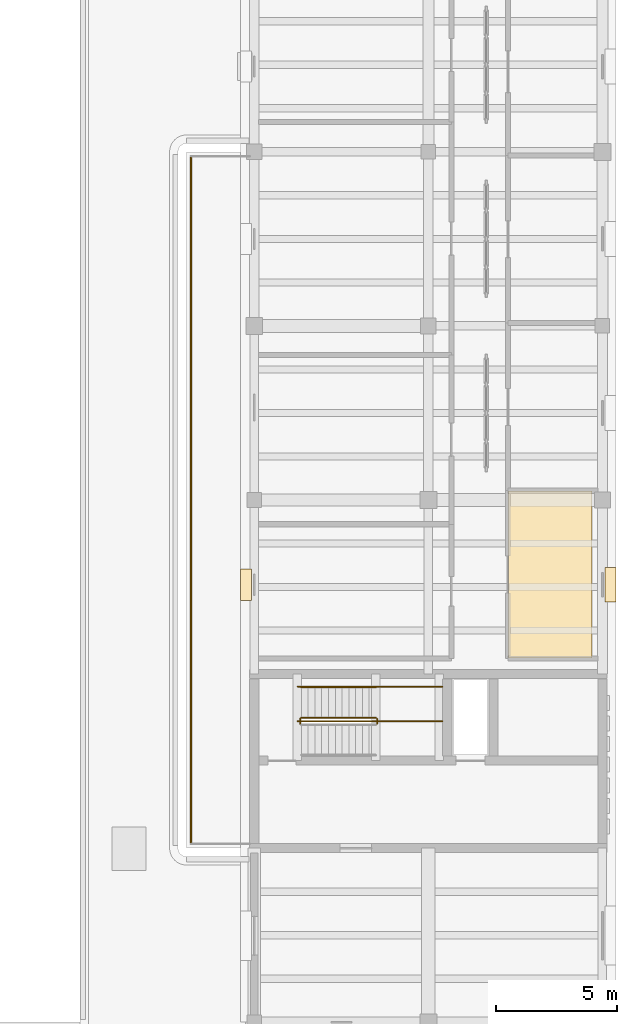
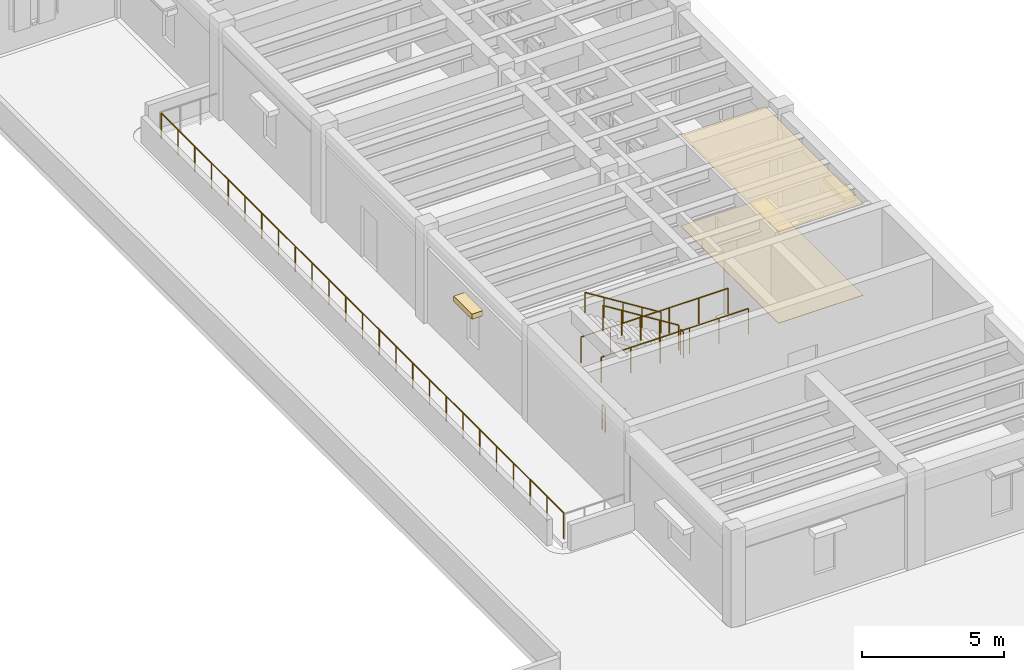
# One storey, part 39 of 40: 7 railings, 4 coverings.
"""IFC4 building model written with IfcOpenShell, lengths in metres."""

from ifc_helpers import new_model, si_unit, direction, frame, origin, origin_2d, place, context, subcontext, project, spatial, polyline, rectangle, circle, outline, extrude, material, layer, layer_set, type_object, element, save


model = new_model("IFC4")

# Units and contexts
model_context = context("Model", 3, precision=1e-05, world=origin(), true_north=direction((0.0, 1.0)))
body_context = subcontext(model_context, "Body", "Model", "MODEL_VIEW")
ifc_project = project(units=[si_unit("LENGTHUNIT", "METRE"), si_unit("AREAUNIT", "SQUARE_METRE"), si_unit("VOLUMEUNIT", "CUBIC_METRE"), si_unit("PLANEANGLEUNIT", "RADIAN"), si_unit("MASSUNIT", "GRAM", prefix="KILO")], contexts=[model_context])

# Site, building, storey
site_placement = place(None, origin())
site = spatial("IfcSite", under=ifc_project, at=site_placement, CompositionType="ELEMENT")
building_placement = place(site_placement, origin())
building = spatial("IfcBuilding", under=site, at=building_placement, Name="Mithqara Police Headquarters", CompositionType="ELEMENT")
storey_placement = place(building_placement, frame((0.0, 0.0, 13.800048828125)))
storey = spatial("IfcBuildingStorey", under=building, at=storey_placement, Name="L03", CompositionType="ELEMENT", Elevation=13.800048828125)

# Covering
ifc_material_1 = material(Name="Acoustic mineral-fibre ceiling tile", Category="gypsum")
ifc_layer_1 = layer(ifc_material_1, 0.02490234375, Name="Acoustic mineral-fibre ceiling tile")
ifc_layer_set_1 = layer_set([ifc_layer_1], Name="Acoustic mineral-fibre ceiling tile")
covering_type_1 = type_object("IfcCoveringType", Name="ACOUSTIC CEILING TILE", PredefinedType="CEILING", material=ifc_layer_set_1)
covering_1_placement = place(storey_placement, frame((0.0, 0.0, 3.9150390625)))
element("IfcCovering", 1, at=covering_1_placement, inside=storey, type_object=covering_type_1, Name="Cybercrime Laboratory Acoustic Ceiling", PredefinedType="CEILING", context=body_context, shape_type="SweptSolid", body=[
    extrude(outline(polyline([(162.31005859375, 50.469970703125), (165.760009765625, 50.469970703125), (165.760009765625, 57.363037109375), (162.31005859375, 57.363037109375), (162.31005859375, 50.469970703125)])), origin(), (0.0, 0.0, 1.0), 0.02490234375),
])

# Railings
ifc_material_2 = material(Name="Bronze anodised aluminium 6063-T6", Category="aluminium")
railing_type_1 = type_object("IfcRailingType", Name="GUARD BALUSTRADE1120", PredefinedType="BALUSTRADE", material=ifc_material_2)
railing_1_placement = place(storey_placement, frame((149.179931640625, 42.840087890625, 0.0)))
element("IfcRailing", 2, at=railing_1_placement, inside=storey, type_object=railing_type_1, Name="L03 Terrace Balustrade TER-L03-E-W", PredefinedType="BALUSTRADE", context=body_context, shape_type="SweptSolid", body=[
    extrude(circle(Radius=0.02392578125, at=origin_2d()), frame((0.0, 0.0, 1.09619140625), z_axis=(0.0, 1.0, 0.0), x_axis=(-1.0, 0.0, 0.0)), (0.0, 0.0, 1.0), 28.31982421875),
    extrude(circle(Radius=0.02099609375, at=origin_2d()), origin(), (0.0, 0.0, 1.0), 1.072021484375),
    extrude(circle(Radius=0.02099609375, at=origin_2d()), frame((0.0, 1.179931640625, 0.0)), (0.0, 0.0, 1.0), 1.072021484375),
    extrude(circle(Radius=0.02099609375, at=origin_2d()), frame((0.0, 2.35986328125, 0.0)), (0.0, 0.0, 1.0), 1.072021484375),
    extrude(circle(Radius=0.02099609375, at=origin_2d()), frame((0.0, 3.5400390625, 0.0)), (0.0, 0.0, 1.0), 1.072021484375),
    extrude(circle(Radius=0.02099609375, at=origin_2d()), frame((0.0, 4.719970703125, 0.0)), (0.0, 0.0, 1.0), 1.072021484375),
    extrude(circle(Radius=0.02099609375, at=origin_2d()), frame((0.0, 5.89990234375, 0.0)), (0.0, 0.0, 1.0), 1.072021484375),
    extrude(circle(Radius=0.02099609375, at=origin_2d()), frame((0.0, 7.080078125, 0.0)), (0.0, 0.0, 1.0), 1.072021484375),
    extrude(circle(Radius=0.02099609375, at=origin_2d()), frame((0.0, 8.260009765625, 0.0)), (0.0, 0.0, 1.0), 1.072021484375),
    extrude(circle(Radius=0.02099609375, at=origin_2d()), frame((0.0, 9.43994140625, 0.0)), (0.0, 0.0, 1.0), 1.072021484375),
    extrude(circle(Radius=0.02099609375, at=origin_2d()), frame((0.0, 10.619873046875, 0.0)), (0.0, 0.0, 1.0), 1.072021484375),
    extrude(circle(Radius=0.02099609375, at=origin_2d()), frame((0.0, 11.7998046875, 0.0)), (0.0, 0.0, 1.0), 1.072021484375),
    extrude(circle(Radius=0.02099609375, at=origin_2d()), frame((0.0, 12.97998046875, 0.0)), (0.0, 0.0, 1.0), 1.072021484375),
    extrude(circle(Radius=0.02099609375, at=origin_2d()), frame((0.0, 14.159912109375, 0.0)), (0.0, 0.0, 1.0), 1.072021484375),
    extrude(circle(Radius=0.02099609375, at=origin_2d()), frame((0.0, 15.33984375, 0.0)), (0.0, 0.0, 1.0), 1.072021484375),
    extrude(circle(Radius=0.02099609375, at=origin_2d()), frame((0.0, 16.52001953125, 0.0)), (0.0, 0.0, 1.0), 1.072021484375),
    extrude(circle(Radius=0.02099609375, at=origin_2d()), frame((0.0, 17.699951171875, 0.0)), (0.0, 0.0, 1.0), 1.072021484375),
    extrude(circle(Radius=0.02099609375, at=origin_2d()), frame((0.0, 18.8798828125, 0.0)), (0.0, 0.0, 1.0), 1.072021484375),
    extrude(circle(Radius=0.02099609375, at=origin_2d()), frame((0.0, 20.059814453125, 0.0)), (0.0, 0.0, 1.0), 1.072021484375),
    extrude(circle(Radius=0.02099609375, at=origin_2d()), frame((0.0, 21.23974609375, 0.0)), (0.0, 0.0, 1.0), 1.072021484375),
    extrude(circle(Radius=0.02099609375, at=origin_2d()), frame((0.0, 22.419921875, 0.0)), (0.0, 0.0, 1.0), 1.072021484375),
    extrude(circle(Radius=0.02099609375, at=origin_2d()), frame((0.0, 23.599853515625, 0.0)), (0.0, 0.0, 1.0), 1.072021484375),
    extrude(circle(Radius=0.02099609375, at=origin_2d()), frame((0.0, 24.77978515625, 0.0)), (0.0, 0.0, 1.0), 1.072021484375),
    extrude(circle(Radius=0.02099609375, at=origin_2d()), frame((0.0, 25.9599609375, 0.0)), (0.0, 0.0, 1.0), 1.072021484375),
    extrude(circle(Radius=0.02099609375, at=origin_2d()), frame((0.0, 27.139892578125, 0.0)), (0.0, 0.0, 1.0), 1.072021484375),
    extrude(circle(Radius=0.02099609375, at=origin_2d()), frame((0.0, 28.31982421875, 0.0)), (0.0, 0.0, 1.0), 1.072021484375),
])
ifc_material_3 = material(Name="Steel S355JR", Category="steel")
railing_type_2 = type_object("IfcRailingType", Name="HANDRAIL 920", PredefinedType="HANDRAIL", material=ifc_material_3)
railing_2_placement = place(storey_placement, frame((156.830078125, 49.25, 2.27490234375)))
element("IfcRailing", 3, at=railing_2_placement, inside=storey, type_object=railing_type_2, Name="L03 ST-04 stair handrail 2", PredefinedType="HANDRAIL", context=body_context, shape_type="SweptSolid", body=[
    extrude(circle(Radius=0.02392578125, at=origin_2d()), frame((0.0, 0.0, 0.8759765625), z_axis=(-0.847998304005, 0.0, 0.529998940003), x_axis=(0.0, -1.0, 0.0)), (0.0, 0.0, 1.0), 3.632080078125),
    extrude(circle(Radius=0.02099609375, at=origin_2d()), origin(), (0.0, 0.0, 1.0), 0.851806640625),
    extrude(circle(Radius=0.02099609375, at=origin_2d()), frame((-0.77001953125, 0.0, 0.481201171875)), (0.0, 0.0, 1.0), 0.851806640625),
    extrude(circle(Radius=0.02099609375, at=origin_2d()), frame((-1.5400390625, 0.0, 0.96240234375)), (0.0, 0.0, 1.0), 0.851806640625),
    extrude(circle(Radius=0.02099609375, at=origin_2d()), frame((-2.31005859375, 0.0, 1.44384765625)), (0.0, 0.0, 1.0), 0.851806640625),
    extrude(circle(Radius=0.02099609375, at=origin_2d()), frame((-3.080078125, 0.0, 1.925048828125)), (0.0, 0.0, 1.0), 0.851806640625),
])
railing_type_3 = type_object("IfcRailingType", Name="STAIR GUARD 1120", PredefinedType="GUARDRAIL", material=ifc_material_3)
railing_3_placement = place(storey_placement, frame((156.8798828125, 47.75, 2.099853515625)))
element("IfcRailing", 4, at=railing_3_placement, inside=storey, type_object=railing_type_3, Name="L03 ST-04 stair guard 2", PredefinedType="GUARDRAIL", context=body_context, shape_type="SweptSolid", body=[
    extrude(circle(Radius=0.02392578125, at=origin_2d()), frame((0.0, 0.0, 1.076171875), z_axis=(0.0, 1.0, 0.0), x_axis=(-1.0, 0.0, 0.0)), (0.0, 0.0, 1.0), 0.199951171875),
    extrude(circle(Radius=0.02099609375, at=origin_2d()), origin(), (0.0, 0.0, 1.0), 1.052001953125),
    extrude(circle(Radius=0.02099609375, at=origin_2d()), frame((0.0, 0.199951171875, 0.0)), (0.0, 0.0, 1.0), 1.052001953125),
])
railing_4_placement = place(storey_placement, frame((156.830078125, 48.0, 2.27490234375)))
element("IfcRailing", 5, at=railing_4_placement, inside=storey, type_object=railing_type_3, Name="L03 ST-04 stair guard 3", PredefinedType="GUARDRAIL", context=body_context, shape_type="SweptSolid", body=[
    extrude(circle(Radius=0.02392578125, at=origin_2d()), frame((0.0, 0.0, 1.076171875), z_axis=(-0.847998304005, 0.0, 0.529998940003), x_axis=(0.0, -1.0, 0.0)), (0.0, 0.0, 1.0), 3.632080078125),
    extrude(circle(Radius=0.02099609375, at=origin_2d()), origin(), (0.0, 0.0, 1.0), 1.052001953125),
    extrude(circle(Radius=0.02099609375, at=origin_2d()), frame((-0.77001953125, 0.0, 0.481201171875)), (0.0, 0.0, 1.0), 1.052001953125),
    extrude(circle(Radius=0.02099609375, at=origin_2d()), frame((-1.5400390625, 0.0, 0.96240234375)), (0.0, 0.0, 1.0), 1.052001953125),
    extrude(circle(Radius=0.02099609375, at=origin_2d()), frame((-2.31005859375, 0.0, 1.44384765625)), (0.0, 0.0, 1.0), 1.052001953125),
    extrude(circle(Radius=0.02099609375, at=origin_2d()), frame((-3.080078125, 0.0, 1.925048828125)), (0.0, 0.0, 1.0), 1.052001953125),
])
railing_5_placement = place(storey_placement, frame((153.699951171875, 47.75, 0.0)))
element("IfcRailing", 6, at=railing_5_placement, inside=storey, type_object=railing_type_3, Name="L03 ST-04 stair guard 4", PredefinedType="GUARDRAIL", context=body_context, shape_type="SweptSolid", body=[
    extrude(circle(Radius=0.02392578125, at=origin_2d()), frame((0.0, 0.0, 1.076171875), z_axis=(0.0, 1.0, 0.0), x_axis=(-1.0, 0.0, 0.0)), (0.0, 0.0, 1.0), 0.199951171875),
    extrude(circle(Radius=0.02099609375, at=origin_2d()), origin(), (0.0, 0.0, 1.0), 1.052001953125),
    extrude(circle(Radius=0.02099609375, at=origin_2d()), frame((0.0, 0.199951171875, 0.0)), (0.0, 0.0, 1.0), 1.052001953125),
])
for number, where, name in (
    (7, (153.60009765625, 47.85009765625, 2.099853515625), "L03 ST-04 Half-Landing Guard IN"),
    (8, (153.60009765625, 49.280029296875, 2.099853515625), "L03 ST-04 Half-Landing Guard OUT"),
):
    element("IfcRailing", number, at=place(storey_placement, frame(where)), inside=storey, type_object=railing_type_3, Name=name, PredefinedType="GUARDRAIL", context=body_context, shape_type="SweptSolid", body=[
        extrude(circle(Radius=0.02392578125, at=origin_2d()), frame((0.0, 0.0, 1.09619140625), z_axis=(1.0, 0.0, 0.0), x_axis=(0.0, 1.0, 0.0)), (0.0, 0.0, 1.0), 5.97998046875),
        extrude(circle(Radius=0.02099609375, at=origin_2d()), origin(), (0.0, 0.0, 1.0), 1.072021484375),
        extrude(circle(Radius=0.02099609375, at=origin_2d()), frame((1.196044921875, 0.0, 0.0)), (0.0, 0.0, 1.0), 1.072021484375),
        extrude(circle(Radius=0.02099609375, at=origin_2d()), frame((2.39208984375, 0.0, 0.0)), (0.0, 0.0, 1.0), 1.072021484375),
        extrude(circle(Radius=0.02099609375, at=origin_2d()), frame((3.587890625, 0.0, 0.0)), (0.0, 0.0, 1.0), 1.072021484375),
        extrude(circle(Radius=0.02099609375, at=origin_2d()), frame((4.783935546875, 0.0, 0.0)), (0.0, 0.0, 1.0), 1.072021484375),
        extrude(circle(Radius=0.02099609375, at=origin_2d()), frame((5.97998046875, 0.0, 0.0)), (0.0, 0.0, 1.0), 1.072021484375),
    ])

# Coverings
ifc_material_4 = material(Name="Polished limestone terrazzo flooring", Category="masonry")
ifc_layer_2 = layer(ifc_material_4, 0.02001953125, Name="Polished limestone terrazzo flooring")
ifc_layer_set_2 = layer_set([ifc_layer_2], Name="Polished limestone terrazzo flooring")
covering_type_2 = type_object("IfcCoveringType", Name="TERRAZZO FLOOR FINISH", PredefinedType="FLOORING", material=ifc_layer_set_2)
covering_2_placement = place(storey_placement, origin())
element("IfcCovering", 9, at=covering_2_placement, inside=storey, type_object=covering_type_2, Name="Cybercrime Laboratory Terrazzo Floor Finish", PredefinedType="FLOORING", context=body_context, shape_type="SweptSolid", body=[
    extrude(outline(polyline([(162.31005859375, 50.469970703125), (165.760009765625, 50.469970703125), (165.760009765625, 57.363037109375), (162.31005859375, 57.363037109375), (162.31005859375, 50.469970703125)])), origin(), (0.0, 0.0, 1.0), 0.02001953125),
])
ifc_material_5 = material(Name="Limestone ashlar masonry, 45 MPa", Category="masonry")
ifc_layer_3 = layer(ifc_material_5, 0.239990234375, Name="Limestone ashlar masonry, 45 MPa")
ifc_layer_set_3 = layer_set([ifc_layer_3], Name="Limestone ashlar masonry, 45 MPa")
covering_type_3 = type_object("IfcCoveringType", Name="WINDOW HOOD LIMESTONE", PredefinedType="CLADDING", material=ifc_layer_set_3)
covering_3_placement = place(storey_placement, frame((151.4599609375, 53.4951171875, 2.6201171875), z_axis=(0.0, 0.0, 1.0), x_axis=(0.0, 1.0, 0.0)))
element("IfcCovering", 10, at=covering_3_placement, inside=storey, type_object=covering_type_3, Name="L03 Limestone Window Architrave Hood 8.1", PredefinedType="CLADDING", context=body_context, shape_type="SweptSolid", body=[
    extrude(rectangle(XDim=1.2900390625, YDim=0.4599609375, at=origin_2d()), origin(), (0.0, 0.0, 1.0), 0.219970703125),
])
covering_4_placement = place(storey_placement, frame((166.5400390625, 53.4951171875, 2.3701171875), z_axis=(0.0, 0.0, 1.0), x_axis=(0.0, 1.0, 0.0)))
element("IfcCovering", 11, at=covering_4_placement, inside=storey, type_object=covering_type_3, Name="L03 Limestone Window Architrave Hood 10.1", PredefinedType="CLADDING", context=body_context, shape_type="SweptSolid", body=[
    extrude(rectangle(XDim=1.43994140625, YDim=0.4599609375, at=origin_2d()), origin(), (0.0, 0.0, 1.0), 0.219970703125),
])

save(model, "model.ifc")
